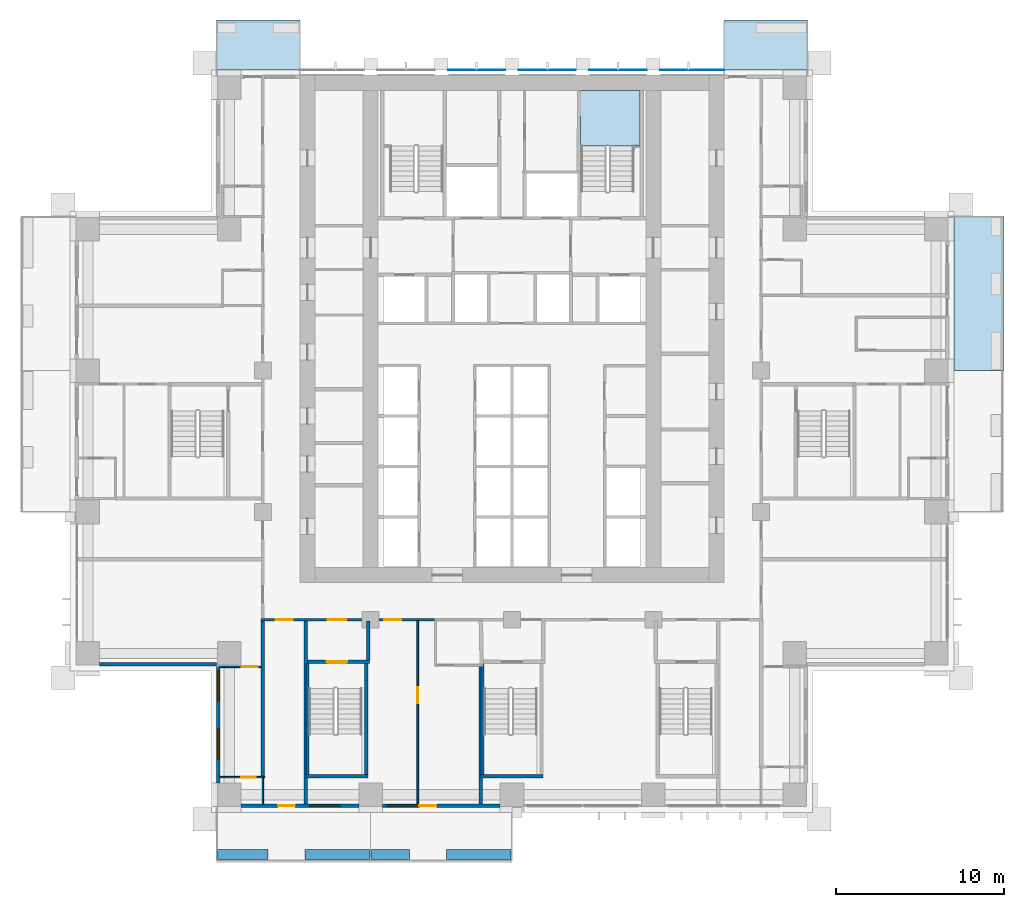
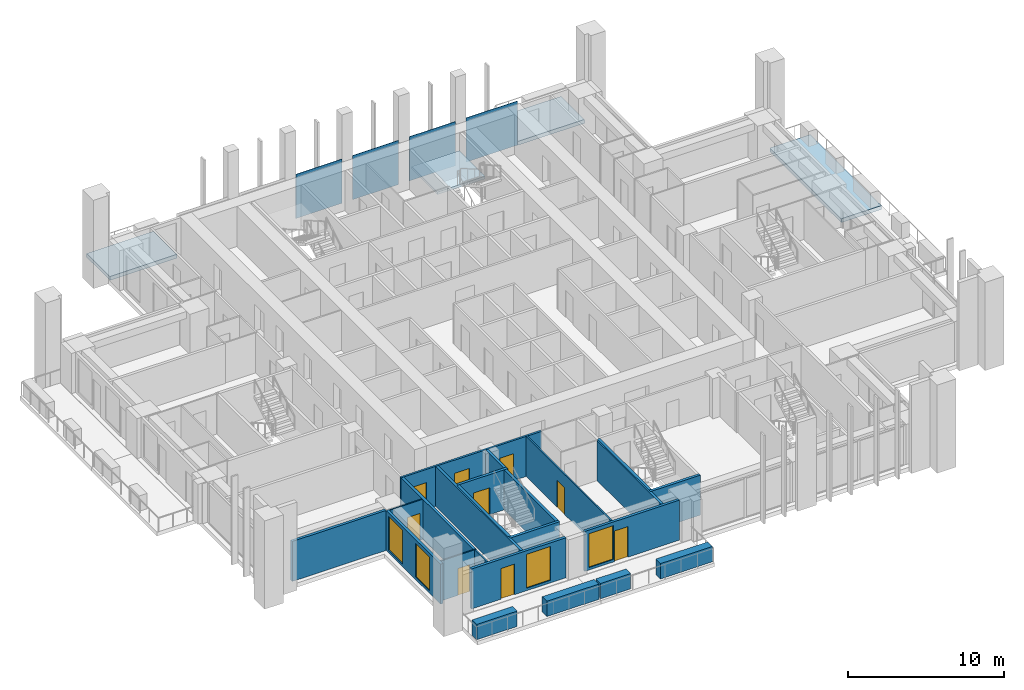
# One storey, part 6 of 18: 23 walls, 9 doors, 4 plates, 4 slabs, 4 windows, 13 openings, 1 element without a shape of its own.
"""IFC4 building model written with IfcOpenShell, lengths in metres."""

from ifc_helpers import new_model, si_unit, direction, frame, frame_2d, origin, origin_2d, place, context, subcontext, project, spatial, polyline, rectangle, outline, extrude, material, layer, layer_set, type_object, element, fill, aggregate, save


model = new_model("IFC4")

# Units and contexts
model_context = context("Model", 3, precision=1e-05, world=origin(), true_north=direction((0.0, 1.0)))
body_context = subcontext(model_context, "Body", "Model", "MODEL_VIEW")
ifc_project = project(units=[si_unit("LENGTHUNIT", "METRE"), si_unit("AREAUNIT", "SQUARE_METRE"), si_unit("VOLUMEUNIT", "CUBIC_METRE"), si_unit("PLANEANGLEUNIT", "RADIAN"), si_unit("MASSUNIT", "GRAM", prefix="KILO")], contexts=[model_context])

# Site, building, storey
site_placement = place(None, origin())
site = spatial("IfcSite", under=ifc_project, at=site_placement, CompositionType="ELEMENT")
building_placement = place(site_placement, origin())
building = spatial("IfcBuilding", under=site, at=building_placement, Name="Vermilion Ogive Tower", CompositionType="ELEMENT")
storey_placement = place(building_placement, frame((0.0, 0.0, 55.199951171875)))
storey = spatial("IfcBuildingStorey", under=building, at=storey_placement, Name="L12", CompositionType="ELEMENT", Elevation=55.199951171875)

# Slabs
ifc_material_1 = material(Name="Concrete B40", Category="concrete")
ifc_layer_1 = layer(ifc_material_1, 0.300048828125)
ifc_layer_set_1 = layer_set([ifc_layer_1], Name="Balcony slab")
slab_type_1 = type_object("IfcSlabType", Name="Balcony slab", PredefinedType="FLOOR", material=ifc_layer_set_1)
slab_1_placement = place(storey_placement, frame((0.0, 0.0, -0.33984375)))
element("IfcSlab", 1, at=slab_1_placement, inside=storey, type_object=slab_type_1, Name="Balcony slab E03", PredefinedType="FLOOR", context=body_context, shape_type="SweptSolid", body=[
    extrude(outline(polyline([(29.22998046875, 4.199951171875), (29.22998046875, 13.35009765625), (26.25, 13.35009765625), (26.25, 4.199951171875), (29.22998046875, 4.199951171875)])), origin(), (0.0, 0.0, 1.0), 0.2998046875),
])
slab_2_placement = place(storey_placement, frame((0.0, 0.0, -0.33984375)))
element("IfcSlab", 2, at=slab_2_placement, inside=storey, type_object=slab_type_1, Name="Balcony slab N101", PredefinedType="FLOOR", context=body_context, shape_type="SweptSolid", body=[
    extrude(outline(polyline([(17.550048828125, 25.030029296875), (12.60009765625, 25.030029296875), (12.60009765625, 22.050048828125), (17.550048828125, 22.050048828125), (17.550048828125, 25.030029296875)])), origin(), (0.0, 0.0, 1.0), 0.2998046875),
])
slab_3_placement = place(storey_placement, frame((0.0, 0.0, -0.33984375)))
element("IfcSlab", 3, at=slab_3_placement, inside=storey, type_object=slab_type_1, Name="Balcony slab N201", PredefinedType="FLOOR", context=body_context, shape_type="SweptSolid", body=[
    extrude(outline(polyline([(-12.60009765625, 25.030029296875), (-17.550048828125, 25.030029296875), (-17.550048828125, 22.050048828125), (-12.60009765625, 22.050048828125), (-12.60009765625, 25.030029296875)])), origin(), (0.0, 0.0, 1.0), 0.2998046875),
])

# Plates
ifc_material_2 = material(Name="Low-iron laminated glazing in aluminium frame", Category="aluminium")
ifc_layer_2 = layer(ifc_material_2, 0.031982421875)
ifc_layer_set_2 = layer_set([ifc_layer_2], Name="Glazed rainscreen sheet 32")
plate_type = type_object("IfcPlateType", Name="Glazed rainscreen sheet 32", PredefinedType="SHEET", material=ifc_layer_set_2)
for number, where, z_axis, x_axis, name in (
    (4, (-2.10009765625, 22.06591796875, -0.31982421875), (0.0, 0.0, 1.0), (1.0, 0.0, 0.0), "Glazed rainscreen sheet N3"),
    (5, (2.10009765625, 22.06591796875, -0.31982421875), (0.0, 0.0, 1.0), (1.0, 0.0, 0.0), "Glazed rainscreen sheet N4"),
    (6, (6.300048828125, 22.06591796875, -0.31982421875), (0.0, 0.0, 1.0), (1.0, 0.0, 0.0), "Glazed rainscreen sheet N5"),
):
    element("IfcPlate", number, at=place(storey_placement, frame(where, z_axis=z_axis, x_axis=x_axis)), inside=storey, type_object=plate_type, Name=name, PredefinedType="SHEET", context=body_context, shape_type="SweptSolid", body=[
        extrude(rectangle(XDim=3.39990234375, YDim=0.031982421875, at=origin_2d()), origin(), (0.0, 0.0, 1.0), 3.449951171875),
    ])
plate_placement = place(storey_placement, frame((10.7099609375, 22.06591796875, -0.31982421875), z_axis=(0.0, 0.0, 1.0), x_axis=(1.0, 0.0, 0.0)))
element("IfcPlate", 7, at=plate_placement, inside=storey, type_object=plate_type, Name="Glazed rainscreen sheet N6", PredefinedType="SHEET", context=body_context, shape_type="SweptSolid", body=[
    extrude(rectangle(XDim=3.820068359375, YDim=0.031982421875, at=origin_2d()), origin(), (0.0, 0.0, 1.0), 3.449951171875),
])

# Stair, slab
ifc_material_3 = material(Name="Concrete B40", Category="concrete")
stair_type = type_object("IfcStairType", Name="Exit stair 1500", PredefinedType="HALF_TURN_STAIR", material=ifc_material_3)
stair_placement = place(storey_placement, origin())
stair = element("IfcStair", 8, at=stair_placement, inside=storey, type_object=stair_type, Name="L12 Exit Stair ST2", PredefinedType="HALF_TURN_STAIR")
ifc_material_4 = material(Name="Concrete B40", Category="concrete")
ifc_layer_3 = layer(ifc_material_4, 0.199951171875)
ifc_layer_set_3 = layer_set([ifc_layer_3], Name="Stair landing 200")
slab_type_2 = type_object("IfcSlabType", Name="Stair landing 200", PredefinedType="LANDING", material=ifc_layer_set_3)
slab_4_placement = place(storey_placement, frame((0.0, 0.0, 1.525146484375)))
slab_4 = element("IfcSlab", 9, at=slab_4_placement, type_object=slab_type_2, Name="ST2 landing 1", PredefinedType="LANDING", context=body_context, shape_type="SweptSolid", body=[
    extrude(outline(polyline([(5.60009765625, 17.550048828125), (5.75, 17.550048828125), (5.75, 17.548095703125), (7.25, 17.548095703125), (7.25, 17.550048828125), (7.60009765625, 17.550048828125), (7.60009765625, 20.85009765625), (4.074951171875, 20.85009765625), (4.074951171875, 17.550048828125), (4.10009765625, 17.550048828125), (4.10009765625, 17.548095703125), (5.60009765625, 17.548095703125), (5.60009765625, 17.550048828125)])), origin(), (0.0, 0.0, 1.0), 0.199951171875),
])
aggregate(stair, [slab_4])

# Wall, opening, door
ifc_material_5 = material(Name="Gypsum board partition on steel studs", Category="steel")
ifc_layer_4 = layer(ifc_material_5, 0.10009765625)
ifc_layer_set_4 = layer_set([ifc_layer_4], Name="Partition 100 bath")
wall_type_1 = type_object("IfcWallType", Name="Partition 100 bath", PredefinedType="PARTITIONING", material=ifc_layer_set_4)
wall_1_placement = place(storey_placement, frame((-17.35009765625, -19.949951171875, 0.0), z_axis=(0.0, 0.0, 1.0), x_axis=(1.0, 0.0, 0.0)))
wall_1 = element("IfcWall", 10, at=wall_1_placement, inside=storey, type_object=wall_type_1, Name="L12-W-W001", PredefinedType="PARTITIONING", context=body_context, shape_type="SweptSolid", body=[
    extrude(rectangle(XDim=2.650146484375, YDim=0.10009765625, at=frame_2d((1.3251953125, 0.0))), origin(), (0.0, 0.0, 1.0), 3.130126953125),
])
opening_1_placement = place(wall_1_placement, frame((1.27490234375, 0.0, 0.0)))
opening_1 = element("IfcOpeningElement", 11, at=opening_1_placement, cuts=wall_1, Name="Opening D1G4003", PredefinedType="OPENING", context=body_context, shape_type="SweptSolid", body=[
    extrude(rectangle(XDim=0.85009765625, YDim=2.10009765625, at=frame_2d((0.425048828125, 1.050048828125))), frame((0.0, 0.06005859375, 0.0), z_axis=(0.0, -1.0, 0.0), x_axis=(1.0, 0.0, 0.0)), (0.0, 0.0, 1.0), 0.1201171875),
])
ifc_material_6 = material(Name="Timber door leaf", Category="wood")
door_type_1 = type_object("IfcDoorType", Name="Bath door 850 x 2100 FD30", OperationType="SINGLE_SWING_LEFT", PredefinedType="DOOR", material=ifc_material_6)
door_1_placement = place(opening_1_placement, origin())
door_1 = element("IfcDoor", 12, at=door_1_placement, inside=storey, type_object=door_type_1, Name="L12-D-D003", OperationType="SINGLE_SWING_RIGHT", OverallHeight=2.10009765625, OverallWidth=0.85009765625, PredefinedType="DOOR", context=body_context, shape_type="SweptSolid", body=[
    extrude(rectangle(XDim=0.85009765625, YDim=2.10009765625, at=frame_2d((0.425048828125, 1.050048828125))), frame((0.0, 0.02490234375, 0.0), z_axis=(0.0, -1.0, 0.0), x_axis=(1.0, 0.0, 0.0)), (0.0, 0.0, 1.0), 0.050048828125),
])
fill(opening_1, door_1)

# Wall
wall_2_placement = place(storey_placement, frame((-14.800048828125, -21.550048828125, 0.0), z_axis=(0.0, 0.0, 1.0), x_axis=(0.0, 1.0, 0.0)))
element("IfcWall", 13, at=wall_2_placement, inside=storey, type_object=wall_type_1, Name="L12-W-W047", PredefinedType="PARTITIONING", context=body_context, shape_type="SweptSolid", body=[
    extrude(rectangle(XDim=1.550048828125, YDim=0.10009765625, at=frame_2d((0.77490234375, 0.0))), origin(), (0.0, 0.0, 1.0), 3.130126953125),
])

# Wall, opening, door
ifc_material_7 = material(Name="Gypsum board partition on steel studs", Category="steel")
ifc_layer_5 = layer(ifc_material_7, 0.10009765625)
ifc_layer_set_5 = layer_set([ifc_layer_5], Name="Partition 100 inner")
wall_type_2 = type_object("IfcWallType", Name="Partition 100 inner", PredefinedType="PARTITIONING", material=ifc_layer_set_5)
wall_3_placement = place(storey_placement, frame((-17.35009765625, -13.39990234375, 0.0), z_axis=(0.0, 0.0, 1.0), x_axis=(1.0, 0.0, 0.0)))
wall_3 = element("IfcWall", 14, at=wall_3_placement, inside=storey, type_object=wall_type_2, Name="L12-W-W006", PredefinedType="PARTITIONING", context=body_context, shape_type="SweptSolid", body=[
    extrude(rectangle(XDim=2.4501953125, YDim=0.10009765625, at=frame_2d((1.22509765625, 0.0))), origin(), (0.0, 0.0, 1.0), 3.130126953125),
])
opening_2_placement = place(wall_3_placement, frame((1.300048828125, 0.0, 0.0)))
opening_2 = element("IfcOpeningElement", 15, at=opening_2_placement, cuts=wall_3, Name="Opening D1G4002", PredefinedType="OPENING", context=body_context, shape_type="SweptSolid", body=[
    extrude(rectangle(XDim=0.949951171875, YDim=2.10009765625, at=frame_2d((0.47509765625, 1.050048828125))), frame((0.0, 0.06005859375, 0.0), z_axis=(0.0, -1.0, 0.0), x_axis=(1.0, 0.0, 0.0)), (0.0, 0.0, 1.0), 0.1201171875),
])
ifc_material_8 = material(Name="Timber door leaf", Category="wood")
door_type_2 = type_object("IfcDoorType", Name="Inner door 950 x 2100 FD30", OperationType="SINGLE_SWING_LEFT", PredefinedType="DOOR", material=ifc_material_8)
door_2_placement = place(opening_2_placement, origin())
door_2 = element("IfcDoor", 16, at=door_2_placement, inside=storey, type_object=door_type_2, Name="L12-D-D002", OperationType="SINGLE_SWING_RIGHT", OverallHeight=2.10009765625, OverallWidth=0.949951171875, PredefinedType="DOOR", context=body_context, shape_type="SweptSolid", body=[
    extrude(rectangle(XDim=0.949951171875, YDim=2.10009765625, at=frame_2d((0.47509765625, 1.050048828125))), frame((0.0, 0.02490234375, 0.0), z_axis=(0.0, -1.0, 0.0), x_axis=(1.0, 0.0, 0.0)), (0.0, 0.0, 1.0), 0.050048828125),
])
fill(opening_2, door_2)

wall_4_placement = place(storey_placement, frame((-5.60009765625, -21.550048828125, 0.0), z_axis=(0.0, 0.0, 1.0), x_axis=(0.0, 1.0, 0.0)))
wall_4 = element("IfcWall", 17, at=wall_4_placement, inside=storey, type_object=wall_type_2, Name="L12-W-W058", PredefinedType="PARTITIONING", context=body_context, shape_type="SweptSolid", body=[
    extrude(rectangle(XDim=10.875, YDim=0.10009765625, at=frame_2d((5.4375, 0.0))), origin(), (0.0, 0.0, 1.0), 3.130126953125),
])
opening_3_placement = place(wall_4_placement, frame((5.97509765625, 0.0, 0.0)))
opening_3 = element("IfcOpeningElement", 18, at=opening_3_placement, cuts=wall_4, Name="Opening D1G4013", PredefinedType="OPENING", context=body_context, shape_type="SweptSolid", body=[
    extrude(rectangle(XDim=0.949951171875, YDim=2.10009765625, at=frame_2d((0.47509765625, 1.050048828125))), frame((0.0, 0.06005859375, 0.0), z_axis=(0.0, -1.0, 0.0), x_axis=(1.0, 0.0, 0.0)), (0.0, 0.0, 1.0), 0.1201171875),
])
door_3_placement = place(opening_3_placement, origin())
door_3 = element("IfcDoor", 19, at=door_3_placement, inside=storey, type_object=door_type_2, Name="L12-D-D013", OperationType="SINGLE_SWING_LEFT", OverallHeight=2.10009765625, OverallWidth=0.949951171875, PredefinedType="DOOR", context=body_context, shape_type="SweptSolid", body=[
    extrude(rectangle(XDim=0.949951171875, YDim=2.10009765625, at=frame_2d((0.47509765625, 1.050048828125))), frame((0.0, 0.02490234375, 0.0), z_axis=(0.0, -1.0, 0.0), x_axis=(1.0, 0.0, 0.0)), (0.0, 0.0, 1.0), 0.050048828125),
])
fill(opening_3, door_3)

# Wall, openings, doors
ifc_material_9 = material(Name="Gypsum board partition on steel studs", Category="steel")
ifc_layer_6 = layer(ifc_material_9, 0.14990234375)
ifc_layer_set_6 = layer_set([ifc_layer_6], Name="Partition 150 corridor")
wall_type_3 = type_object("IfcWallType", Name="Partition 150 corridor", PredefinedType="PARTITIONING", material=ifc_layer_set_6)
wall_5_placement = place(storey_placement, frame((-14.89990234375, -10.60009765625, 0.0), z_axis=(0.0, 0.0, 1.0), x_axis=(1.0, 0.0, 0.0)))
wall_5 = element("IfcWall", 20, at=wall_5_placement, inside=storey, type_object=wall_type_3, Name="L12-W-W012", PredefinedType="PARTITIONING", context=body_context, shape_type="SweptSolid", body=[
    extrude(rectangle(XDim=10.39990234375, YDim=0.14990234375, at=frame_2d((5.199951171875, 0.0))), origin(), (0.0, 0.0, 1.0), 3.130126953125),
])
opening_4_placement = place(wall_5_placement, frame((7.324951171875, 0.0, 0.0)))
opening_4 = element("IfcOpeningElement", 21, at=opening_4_placement, cuts=wall_5, Name="Opening D1G4012", PredefinedType="OPENING", context=body_context, shape_type="SweptSolid", body=[
    extrude(rectangle(XDim=1.0, YDim=2.10009765625, at=frame_2d((0.5, 1.050048828125))), frame((0.0, 0.0849609375, 0.0), z_axis=(0.0, -1.0, 0.0), x_axis=(1.0, 0.0, 0.0)), (0.0, 0.0, 1.0), 0.169921875),
])
opening_5_placement = place(wall_5_placement, frame((3.949951171875, 0.0, 0.0)))
opening_5 = element("IfcOpeningElement", 22, at=opening_5_placement, cuts=wall_5, Name="Opening D1G4028", PredefinedType="OPENING", context=body_context, shape_type="SweptSolid", body=[
    extrude(rectangle(XDim=1.10009765625, YDim=2.10009765625, at=frame_2d((0.550048828125, 1.050048828125))), frame((0.0, 0.0849609375, 0.0), z_axis=(0.0, -1.0, 0.0), x_axis=(1.0, 0.0, 0.0)), (0.0, 0.0, 1.0), 0.169921875),
])
opening_6_placement = place(wall_5_placement, frame((0.875, 0.0, 0.0)))
opening_6 = element("IfcOpeningElement", 23, at=opening_6_placement, cuts=wall_5, Name="Opening D1G4038", PredefinedType="OPENING", context=body_context, shape_type="SweptSolid", body=[
    extrude(rectangle(XDim=1.0, YDim=2.10009765625, at=frame_2d((0.5, 1.050048828125))), frame((0.0, 0.0849609375, 0.0), z_axis=(0.0, -1.0, 0.0), x_axis=(1.0, 0.0, 0.0)), (0.0, 0.0, 1.0), 0.169921875),
])
ifc_material_10 = material(Name="Timber door leaf", Category="wood")
door_type_3 = type_object("IfcDoorType", Name="Stair door 1100 x 2100 FD60S", OperationType="SINGLE_SWING_LEFT", PredefinedType="DOOR", material=ifc_material_10)
door_4_placement = place(opening_5_placement, origin())
door_4 = element("IfcDoor", 24, at=door_4_placement, inside=storey, type_object=door_type_3, Name="L12-D-D028", OperationType="SINGLE_SWING_RIGHT", OverallHeight=2.10009765625, OverallWidth=1.10009765625, PredefinedType="DOOR", context=body_context, shape_type="SweptSolid", body=[
    extrude(rectangle(XDim=1.10009765625, YDim=2.10009765625, at=frame_2d((0.550048828125, 1.050048828125))), frame((0.0, 0.02490234375, 0.0), z_axis=(0.0, -1.0, 0.0), x_axis=(1.0, 0.0, 0.0)), (0.0, 0.0, 1.0), 0.050048828125),
])
fill(opening_5, door_4)
ifc_material_11 = material(Name="Timber door leaf", Category="wood")
door_type_4 = type_object("IfcDoorType", Name="Unit door 1000 x 2100 FD30S", OperationType="SINGLE_SWING_LEFT", PredefinedType="DOOR", material=ifc_material_11)
door_5_placement = place(opening_4_placement, origin())
door_5 = element("IfcDoor", 25, at=door_5_placement, inside=storey, type_object=door_type_4, Name="L12-D-D012", OperationType="SINGLE_SWING_RIGHT", OverallHeight=2.10009765625, OverallWidth=1.0, PredefinedType="DOOR", context=body_context, shape_type="SweptSolid", body=[
    extrude(rectangle(XDim=1.0, YDim=2.10009765625, at=frame_2d((0.5, 1.050048828125))), frame((0.0, 0.02490234375, 0.0), z_axis=(0.0, -1.0, 0.0), x_axis=(1.0, 0.0, 0.0)), (0.0, 0.0, 1.0), 0.050048828125),
])
fill(opening_4, door_5)
door_6_placement = place(opening_6_placement, origin())
door_6 = element("IfcDoor", 26, at=door_6_placement, inside=storey, type_object=door_type_4, Name="L12-D-D038", OperationType="SINGLE_SWING_RIGHT", OverallHeight=2.10009765625, OverallWidth=1.0, PredefinedType="DOOR", context=body_context, shape_type="SweptSolid", body=[
    extrude(rectangle(XDim=1.0, YDim=2.10009765625, at=frame_2d((0.5, 1.050048828125))), frame((0.0, 0.02490234375, 0.0), z_axis=(0.0, -1.0, 0.0), x_axis=(1.0, 0.0, 0.0)), (0.0, 0.0, 1.0), 0.050048828125),
])
fill(opening_6, door_6)

# Walls
ifc_material_12 = material(Name="Gypsum board partition on steel studs", Category="steel")
ifc_layer_7 = layer(ifc_material_12, 0.199951171875)
ifc_layer_set_7 = layer_set([ifc_layer_7], Name="Partition 200 party")
wall_type_4 = type_object("IfcWallType", Name="Partition 200 party", PredefinedType="PARTITIONING", material=ifc_layer_set_7)
wall_6_placement = place(storey_placement, frame((-14.800048828125, -19.89990234375, 0.0), z_axis=(0.0, 0.0, 1.0), x_axis=(0.0, 1.0, 0.0)))
element("IfcWall", 27, at=wall_6_placement, inside=storey, type_object=wall_type_4, Name="L12-W-W048", PredefinedType="PARTITIONING", context=body_context, shape_type="SweptSolid", body=[
    extrude(rectangle(XDim=9.224853515625, YDim=0.199951171875, at=frame_2d((4.6123046875, 0.0))), origin(), (0.0, 0.0, 1.0), 3.130126953125),
])
wall_7_placement = place(storey_placement, frame((-8.550048828125, -12.998046875, 0.0), z_axis=(0.0, 0.0, 1.0), x_axis=(0.0, 1.0, 0.0)))
element("IfcWall", 28, at=wall_7_placement, inside=storey, type_object=wall_type_4, Name="L12-W-W057", PredefinedType="PARTITIONING", context=body_context, shape_type="SweptSolid", body=[
    extrude(rectangle(XDim=2.322998046875, YDim=0.199951171875, at=frame_2d((1.16162109375, 0.0))), origin(), (0.0, 0.0, 1.0), 3.130126953125),
])
ifc_material_13 = material(Name="Concrete B60", Category="concrete")
ifc_layer_8 = layer(ifc_material_13, 0.199951171875)
ifc_layer_set_8 = layer_set([ifc_layer_8], Name="Stair shaft wall 200 Concrete B60")
wall_type_5 = type_object("IfcWallType", Name="Stair shaft wall 200 Concrete B60", PredefinedType="SOLIDWALL", material=ifc_layer_set_8)
wall_8_placement = place(storey_placement, frame((-12.248046875, -19.89990234375, 0.0), z_axis=(0.0, 0.0, 1.0), x_axis=(1.0, 0.0, 0.0)))
element("IfcWall", 29, at=wall_8_placement, inside=storey, type_object=wall_type_5, Name="L12-W-W002", PredefinedType="SOLIDWALL", context=body_context, shape_type="SweptSolid", body=[
    extrude(rectangle(XDim=3.696044921875, YDim=0.199951171875, at=frame_2d((1.84814453125, 0.0))), origin(), (0.0, 0.0, 1.0), 3.130126953125),
])
wall_9_placement = place(storey_placement, frame((-1.847900390625, -19.89990234375, 0.0), z_axis=(0.0, 0.0, 1.0), x_axis=(1.0, 0.0, 0.0)))
element("IfcWall", 30, at=wall_9_placement, inside=storey, type_object=wall_type_5, Name="L12-W-W003", PredefinedType="SOLIDWALL", context=body_context, shape_type="SweptSolid", body=[
    extrude(rectangle(XDim=3.69580078125, YDim=0.199951171875, at=frame_2d((1.847900390625, 0.0))), origin(), (0.0, 0.0, 1.0), 3.130126953125),
])

# Wall, opening, door
wall_10_placement = place(storey_placement, frame((-12.14794921875, -13.10009765625, 0.0), z_axis=(0.0, 0.0, 1.0), x_axis=(1.0, 0.0, 0.0)))
wall_10 = element("IfcWall", 31, at=wall_10_placement, inside=storey, type_object=wall_type_5, Name="L12-W-W009", PredefinedType="SOLIDWALL", context=body_context, shape_type="SweptSolid", body=[
    extrude(rectangle(XDim=3.696044921875, YDim=0.199951171875, at=frame_2d((1.84814453125, 0.0))), origin(), (0.0, 0.0, 1.0), 3.130126953125),
])
opening_7_placement = place(wall_10_placement, frame((1.14794921875, 0.0, 0.0)))
opening_7 = element("IfcOpeningElement", 32, at=opening_7_placement, cuts=wall_10, Name="Opening D1G4029", PredefinedType="OPENING", context=body_context, shape_type="SweptSolid", body=[
    extrude(rectangle(XDim=1.199951171875, YDim=2.10009765625, at=frame_2d((0.60009765625, 1.050048828125))), frame((0.0, 0.10986328125, 0.0), z_axis=(0.0, -1.0, 0.0), x_axis=(1.0, 0.0, 0.0)), (0.0, 0.0, 1.0), 0.219970703125),
])
ifc_material_14 = material(Name="Timber door leaf", Category="wood")
door_type_5 = type_object("IfcDoorType", Name="Stair door 1200 x 2100 FD60S", OperationType="SINGLE_SWING_LEFT", PredefinedType="DOOR", material=ifc_material_14)
door_7_placement = place(opening_7_placement, origin())
door_7 = element("IfcDoor", 33, at=door_7_placement, inside=storey, type_object=door_type_5, Name="L12-D-D029", OperationType="SINGLE_SWING_RIGHT", OverallHeight=2.10009765625, OverallWidth=1.199951171875, PredefinedType="DOOR", context=body_context, shape_type="SweptSolid", body=[
    extrude(rectangle(XDim=1.199951171875, YDim=2.10009765625, at=frame_2d((0.60009765625, 1.050048828125))), frame((0.0, 0.02490234375, 0.0), z_axis=(0.0, -1.0, 0.0), x_axis=(1.0, 0.0, 0.0)), (0.0, 0.0, 1.0), 0.050048828125),
])
fill(opening_7, door_7)

# Walls
for number, where, z_axis, x_axis, name in (
    (34, (-12.14990234375, -19.798095703125, 0.0), (0.0, 0.0, 1.0), (0.0, 1.0, 0.0), "L12-W-W055"),
    (35, (-8.64990234375, -19.798095703125, 0.0), (0.0, 0.0, 1.0), (0.0, 1.0, 0.0), "L12-W-W056"),
    (36, (-1.75, -19.798095703125, 0.0), (0.0, 0.0, 1.0), (0.0, 1.0, 0.0), "L12-W-W062"),
):
    element("IfcWall", number, at=place(storey_placement, frame(where, z_axis=z_axis, x_axis=x_axis)), inside=storey, type_object=wall_type_5, Name=name, PredefinedType="SOLIDWALL", context=body_context, shape_type="SweptSolid", body=[
        extrude(rectangle(XDim=6.59619140625, YDim=0.199951171875, at=frame_2d((3.298095703125, 0.0))), origin(), (0.0, 0.0, 1.0), 3.130126953125),
    ])
wall_11_placement = place(storey_placement, frame((-1.85009765625, -21.550048828125, 0.0), z_axis=(0.0, 0.0, 1.0), x_axis=(0.0, 1.0, 0.0)))
element("IfcWall", 37, at=wall_11_placement, inside=storey, type_object=wall_type_5, Name="L12-W-W060-A", PredefinedType="SOLIDWALL", context=body_context, shape_type="SweptSolid", body=[
    extrude(rectangle(XDim=8.199951171875, YDim=0.199951171875, at=frame_2d((4.10009765625, 0.0))), origin(), (0.0, 0.0, 1.0), 3.130126953125),
])
wall_12_placement = place(storey_placement, frame((-12.25, -21.550048828125, 0.0), z_axis=(0.0, 0.0, 1.0), x_axis=(0.0, 1.0, 0.0)))
element("IfcWall", 38, at=wall_12_placement, inside=storey, type_object=wall_type_5, Name="L12-W-W054-A", PredefinedType="SOLIDWALL", context=body_context, shape_type="SweptSolid", body=[
    extrude(rectangle(XDim=10.875, YDim=0.199951171875, at=frame_2d((5.4375, 0.0))), origin(), (0.0, 0.0, 1.0), 3.130126953125),
])
ifc_material_15 = material(Name="Concrete B40", Category="concrete")
ifc_layer_9 = layer(ifc_material_15, 0.60009765625)
ifc_layer_set_9 = layer_set([ifc_layer_9], Name="Structural planter")
wall_type_6 = type_object("IfcWallType", Name="Structural planter", PredefinedType="USERDEFINED", material=ifc_layer_set_9)
wall_13_placement = place(storey_placement, frame((-17.489990234375, -24.550048828125, -0.0400390625), z_axis=(0.0, 0.0, 1.0), x_axis=(1.0, 0.0, 0.0)))
element("IfcWall", 39, at=wall_13_placement, inside=storey, type_object=wall_type_6, Name="Planter S01A1", ObjectType="PLANTER", PredefinedType="USERDEFINED", context=body_context, shape_type="SweptSolid", body=[
    extrude(rectangle(XDim=2.989990234375, YDim=0.60009765625, at=frame_2d((1.4951171875, 0.0))), origin(), (0.0, 0.0, 1.0), 1.2001953125),
])
wall_14_placement = place(storey_placement, frame((-12.300048828125, -24.550048828125, -0.0400390625), z_axis=(0.0, 0.0, 1.0), x_axis=(1.0, 0.0, 0.0)))
element("IfcWall", 40, at=wall_14_placement, inside=storey, type_object=wall_type_6, Name="Planter S01A2", ObjectType="PLANTER", PredefinedType="USERDEFINED", context=body_context, shape_type="SweptSolid", body=[
    extrude(rectangle(XDim=3.840087890625, YDim=0.60009765625, at=frame_2d((1.919921875, 0.0))), origin(), (0.0, 0.0, 1.0), 1.2001953125),
])
wall_15_placement = place(storey_placement, frame((-8.340087890625, -24.550048828125, -0.0400390625), z_axis=(0.0, 0.0, 1.0), x_axis=(1.0, 0.0, 0.0)))
element("IfcWall", 41, at=wall_15_placement, inside=storey, type_object=wall_type_6, Name="Planter S02A1", ObjectType="PLANTER", PredefinedType="USERDEFINED", context=body_context, shape_type="SweptSolid", body=[
    extrude(rectangle(XDim=2.239990234375, YDim=0.60009765625, at=frame_2d((1.1201171875, 0.0))), origin(), (0.0, 0.0, 1.0), 1.2001953125),
])
wall_16_placement = place(storey_placement, frame((-3.89990234375, -24.550048828125, -0.0400390625), z_axis=(0.0, 0.0, 1.0), x_axis=(1.0, 0.0, 0.0)))
element("IfcWall", 42, at=wall_16_placement, inside=storey, type_object=wall_type_6, Name="Planter S02A2", ObjectType="PLANTER", PredefinedType="USERDEFINED", context=body_context, shape_type="SweptSolid", body=[
    extrude(rectangle(XDim=3.83984375, YDim=0.60009765625, at=frame_2d((1.919921875, 0.0))), origin(), (0.0, 0.0, 1.0), 1.2001953125),
])

# Wall, openings, door, window
ifc_material_16 = material(Name="Aluminium window wall framing", Category="aluminium")
ifc_layer_10 = layer(ifc_material_16, 0.199951171875)
ifc_layer_set_10 = layer_set([ifc_layer_10], Name="Window wall")
wall_type_7 = type_object("IfcWallType", Name="Window wall", PredefinedType="STANDARD", material=ifc_layer_set_10)
wall_17_placement = place(storey_placement, frame((-16.10009765625, -21.64990234375, 0.0), z_axis=(0.0, 0.0, 1.0), x_axis=(1.0, 0.0, 0.0)))
wall_17 = element("IfcWall", 43, at=wall_17_placement, inside=storey, type_object=wall_type_7, Name="Window wall S1", PredefinedType="STANDARD", context=body_context, shape_type="SweptSolid", body=[
    extrude(rectangle(XDim=7.0, YDim=0.199951171875, at=frame_2d((3.5, 0.0))), origin(), (0.0, 0.0, 1.0), 3.130126953125),
])
opening_8_placement = place(wall_17_placement, frame((4.070068359375, 0.0, 0.199951171875)))
opening_8 = element("IfcOpeningElement", 44, at=opening_8_placement, cuts=wall_17, Name="Opening W1-S96", PredefinedType="OPENING", context=body_context, shape_type="SweptSolid", body=[
    extrude(rectangle(XDim=1.800048828125, YDim=2.64990234375, at=frame_2d((0.89990234375, 1.324951171875))), frame((0.0, 0.10986328125, 0.0), z_axis=(0.0, -1.0, 0.0), x_axis=(1.0, 0.0, 0.0)), (0.0, 0.0, 1.0), 0.219970703125),
])
opening_9_placement = place(wall_17_placement, frame((2.199951171875, 0.0, 0.0)))
opening_9 = element("IfcOpeningElement", 45, at=opening_9_placement, cuts=wall_17, Name="Opening D1-S96", PredefinedType="OPENING", context=body_context, shape_type="SweptSolid", body=[
    extrude(rectangle(XDim=1.0, YDim=2.39990234375, at=frame_2d((0.5, 1.199951171875))), frame((0.0, 0.10986328125, 0.0), z_axis=(0.0, -1.0, 0.0), x_axis=(1.0, 0.0, 0.0)), (0.0, 0.0, 1.0), 0.219970703125),
])
ifc_material_17 = material(Name="Aluminium framed glazed door", Category="aluminium")
door_type_6 = type_object("IfcDoorType", Name="Balcony door D1", OperationType="SINGLE_SWING_LEFT", PredefinedType="DOOR", material=ifc_material_17)
door_8_placement = place(opening_9_placement, origin())
door_8 = element("IfcDoor", 46, at=door_8_placement, inside=storey, type_object=door_type_6, Name="Balcony door S96", OperationType="SINGLE_SWING_LEFT", OverallHeight=2.39990234375, OverallWidth=1.0, PredefinedType="DOOR", context=body_context, shape_type="SweptSolid", body=[
    extrude(rectangle(XDim=1.0, YDim=2.39990234375, at=frame_2d((0.5, 1.199951171875))), frame((0.0, 0.02490234375, 0.0), z_axis=(0.0, -1.0, 0.0), x_axis=(1.0, 0.0, 0.0)), (0.0, 0.0, 1.0), 0.050048828125),
])
fill(opening_9, door_8)
ifc_material_18 = material(Name="Aluminium framed double glazing", Category="aluminium")
window_type = type_object("IfcWindowType", Name="Guest window W1", PartitioningType="SINGLE_PANEL", PredefinedType="WINDOW", material=ifc_material_18)
window_1_placement = place(opening_8_placement, origin())
window_1 = element("IfcWindow", 47, at=window_1_placement, inside=storey, type_object=window_type, Name="Window S96", OverallHeight=2.64990234375, OverallWidth=1.800048828125, PartitioningType="SINGLE_PANEL", PredefinedType="WINDOW", context=body_context, shape_type="SweptSolid", body=[
    extrude(rectangle(XDim=1.800048828125, YDim=2.64990234375, at=frame_2d((0.89990234375, 1.324951171875))), frame((0.0, 0.030029296875, 0.0), z_axis=(0.0, -1.0, 0.0), x_axis=(1.0, 0.0, 0.0)), (0.0, 0.0, 1.0), 0.06005859375),
])
fill(opening_8, window_1)

wall_18_placement = place(storey_placement, frame((-7.699951171875, -21.64990234375, 0.0), z_axis=(0.0, 0.0, 1.0), x_axis=(1.0, 0.0, 0.0)))
wall_18 = element("IfcWall", 48, at=wall_18_placement, inside=storey, type_object=wall_type_7, Name="Window wall S2", PredefinedType="STANDARD", context=body_context, shape_type="SweptSolid", body=[
    extrude(rectangle(XDim=7.0, YDim=0.199951171875, at=frame_2d((3.5, 0.0))), origin(), (0.0, 0.0, 1.0), 3.130126953125),
])
opening_10_placement = place(wall_18_placement, frame((0.300048828125, 0.0, 0.199951171875)))
opening_10 = element("IfcOpeningElement", 49, at=opening_10_placement, cuts=wall_18, Name="Opening W1-S98", PredefinedType="OPENING", context=body_context, shape_type="SweptSolid", body=[
    extrude(rectangle(XDim=1.800048828125, YDim=2.64990234375, at=frame_2d((0.89990234375, 1.324951171875))), frame((0.0, 0.10986328125, 0.0), z_axis=(0.0, -1.0, 0.0), x_axis=(1.0, 0.0, 0.0)), (0.0, 0.0, 1.0), 0.219970703125),
])
opening_11_placement = place(wall_18_placement, frame((2.199951171875, 0.0, 0.0)))
opening_11 = element("IfcOpeningElement", 50, at=opening_11_placement, cuts=wall_18, Name="Opening D1-S98", PredefinedType="OPENING", context=body_context, shape_type="SweptSolid", body=[
    extrude(rectangle(XDim=1.0, YDim=2.39990234375, at=frame_2d((0.5, 1.199951171875))), frame((0.0, 0.10986328125, 0.0), z_axis=(0.0, -1.0, 0.0), x_axis=(1.0, 0.0, 0.0)), (0.0, 0.0, 1.0), 0.219970703125),
])
door_9_placement = place(opening_11_placement, origin())
door_9 = element("IfcDoor", 51, at=door_9_placement, inside=storey, type_object=door_type_6, Name="Balcony door S98", OperationType="SINGLE_SWING_LEFT", OverallHeight=2.39990234375, OverallWidth=1.0, PredefinedType="DOOR", context=body_context, shape_type="SweptSolid", body=[
    extrude(rectangle(XDim=1.0, YDim=2.39990234375, at=frame_2d((0.5, 1.199951171875))), frame((0.0, 0.02490234375, 0.0), z_axis=(0.0, -1.0, 0.0), x_axis=(1.0, 0.0, 0.0)), (0.0, 0.0, 1.0), 0.050048828125),
])
fill(opening_11, door_9)
window_2_placement = place(opening_10_placement, origin())
window_2 = element("IfcWindow", 52, at=window_2_placement, inside=storey, type_object=window_type, Name="Window S98", OverallHeight=2.64990234375, OverallWidth=1.800048828125, PartitioningType="SINGLE_PANEL", PredefinedType="WINDOW", context=body_context, shape_type="SweptSolid", body=[
    extrude(rectangle(XDim=1.800048828125, YDim=2.64990234375, at=frame_2d((0.89990234375, 1.324951171875))), frame((0.0, 0.030029296875, 0.0), z_axis=(0.0, -1.0, 0.0), x_axis=(1.0, 0.0, 0.0)), (0.0, 0.0, 1.0), 0.06005859375),
])
fill(opening_10, window_2)

# Wall
wall_19_placement = place(storey_placement, frame((-24.5, -13.25, 0.0), z_axis=(0.0, 0.0, 1.0), x_axis=(1.0, 0.0, 0.0)))
element("IfcWall", 53, at=wall_19_placement, inside=storey, type_object=wall_type_7, Name="Window wall X71", PredefinedType="STANDARD", context=body_context, shape_type="SweptSolid", body=[
    extrude(rectangle(XDim=6.949951171875, YDim=0.199951171875, at=frame_2d((3.47509765625, 0.0))), origin(), (0.0, 0.0, 1.0), 3.130126953125),
])

# Wall, openings, windows
wall_20_placement = place(storey_placement, frame((-17.449951171875, -13.35009765625, 0.0), z_axis=(0.0, 0.0, 1.0), x_axis=(0.0, -1.0, 0.0)))
wall_20 = element("IfcWall", 54, at=wall_20_placement, inside=storey, type_object=wall_type_7, Name="Window wall X81", PredefinedType="STANDARD", context=body_context, shape_type="SweptSolid", body=[
    extrude(rectangle(XDim=6.949951171875, YDim=0.199951171875, at=frame_2d((3.47509765625, 0.0))), origin(), (0.0, 0.0, 1.0), 3.130126953125),
])
opening_12_placement = place(wall_20_placement, frame((3.75, 0.0, 0.199951171875)))
opening_12 = element("IfcOpeningElement", 55, at=opening_12_placement, cuts=wall_20, Name="Opening W1-X895", PredefinedType="OPENING", context=body_context, shape_type="SweptSolid", body=[
    extrude(rectangle(XDim=1.800048828125, YDim=2.64990234375, at=frame_2d((0.89990234375, 1.324951171875))), frame((0.0, 0.10986328125, 0.0), z_axis=(0.0, -1.0, 0.0), x_axis=(1.0, 0.0, 0.0)), (0.0, 0.0, 1.0), 0.219970703125),
])
opening_13_placement = place(wall_20_placement, frame((0.27490234375, 0.0, 0.199951171875)))
opening_13 = element("IfcOpeningElement", 56, at=opening_13_placement, cuts=wall_20, Name="Opening W1-X896", PredefinedType="OPENING", context=body_context, shape_type="SweptSolid", body=[
    extrude(rectangle(XDim=1.800048828125, YDim=2.64990234375, at=frame_2d((0.89990234375, 1.324951171875))), frame((0.0, 0.10986328125, 0.0), z_axis=(0.0, -1.0, 0.0), x_axis=(1.0, 0.0, 0.0)), (0.0, 0.0, 1.0), 0.219970703125),
])
window_3_placement = place(opening_12_placement, origin())
window_3 = element("IfcWindow", 57, at=window_3_placement, inside=storey, type_object=window_type, Name="Window X895", OverallHeight=2.64990234375, OverallWidth=1.800048828125, PartitioningType="SINGLE_PANEL", PredefinedType="WINDOW", context=body_context, shape_type="SweptSolid", body=[
    extrude(rectangle(XDim=1.800048828125, YDim=2.64990234375, at=frame_2d((0.89990234375, 1.324951171875))), frame((0.0, 0.030029296875, 0.0), z_axis=(0.0, -1.0, 0.0), x_axis=(1.0, 0.0, 0.0)), (0.0, 0.0, 1.0), 0.06005859375),
])
fill(opening_12, window_3)
window_4_placement = place(opening_13_placement, origin())
window_4 = element("IfcWindow", 58, at=window_4_placement, inside=storey, type_object=window_type, Name="Window X896", OverallHeight=2.64990234375, OverallWidth=1.800048828125, PartitioningType="SINGLE_PANEL", PredefinedType="WINDOW", context=body_context, shape_type="SweptSolid", body=[
    extrude(rectangle(XDim=1.800048828125, YDim=2.64990234375, at=frame_2d((0.89990234375, 1.324951171875))), frame((0.0, 0.030029296875, 0.0), z_axis=(0.0, -1.0, 0.0), x_axis=(1.0, 0.0, 0.0)), (0.0, 0.0, 1.0), 0.06005859375),
])
fill(opening_13, window_4)

save(model, "model.ifc")
